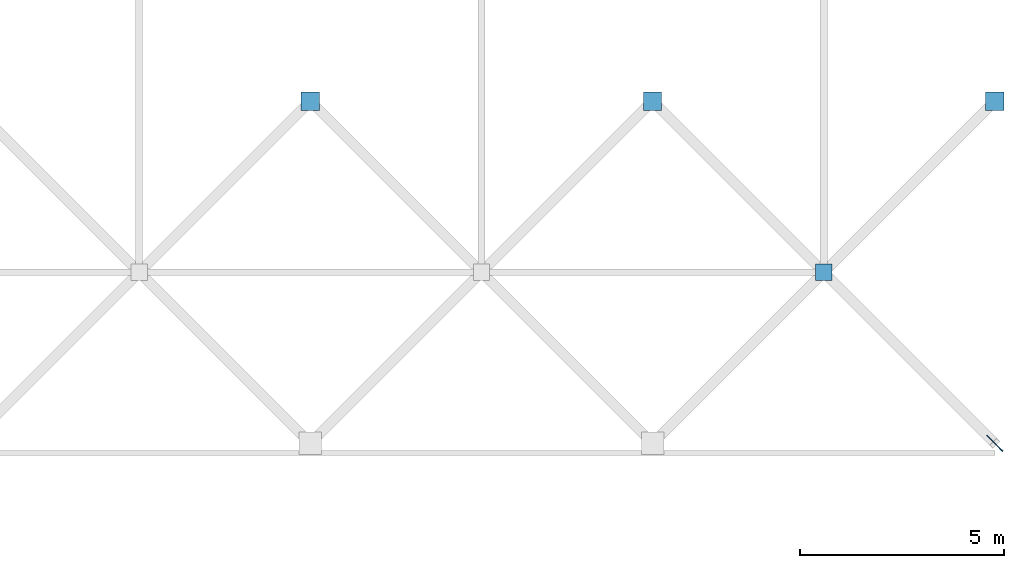
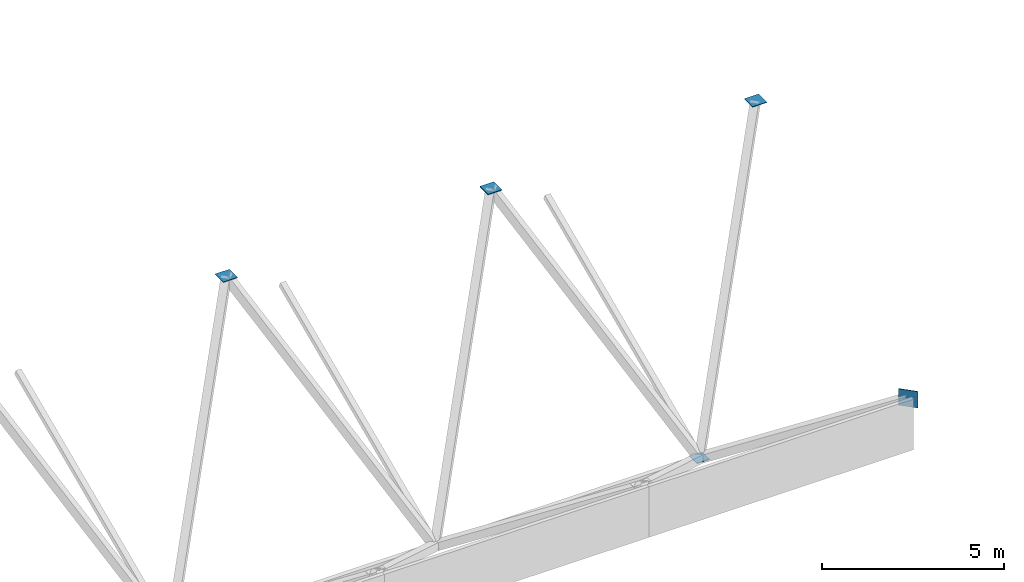
# One storey, part 62 of 85: 5 discrete accessories.
"""IFC4 building model written with IfcOpenShell, lengths in metres."""

import ifcopenshell
import ifcopenshell.guid

model = None  # the IFC model being written
_history = None  # IfcOwnerHistory: only IFC2X3 demands one
_inside = {}  # id of a spatial element -> (the spatial element, [elements in it])
_under = {}  # id of a project, library or spatial element -> (it, [spatial elements below it])
_declared = {}  # id of a project -> (the project, [libraries it declares])
_typed = {}  # id of a type object -> (the type object, [elements of that type])
_made_of = {}  # id of a material, layer set ... -> (it, [elements and type objects made of it])


def new_model(schema):
    """Start an empty IFC model of exactly this schema.

    Asked for "IFC4X3", IfcOpenShell would pick the latest addendum, in which some entities
    have other attributes; the version numbers below select the first issue.
    IFC2X3 requires an IfcOwnerHistory on every rooted entity: one is made here for all.
    """
    global model, _history
    if schema == "IFC4X3":
        model = ifcopenshell.file(schema_version=(4, 3, 0, 0))
    else:
        model = ifcopenshell.file(schema=schema)
    _inside.clear()
    _under.clear()
    _declared.clear()
    _typed.clear()
    _made_of.clear()
    _history = None
    if model.schema == "IFC2X3":
        org = make("IfcOrganization", Name="unknown")
        user = make(
            "IfcPersonAndOrganization",
            ThePerson=make("IfcPerson", FamilyName="unknown"),
            TheOrganization=org,
        )
        app = make(
            "IfcApplication",
            ApplicationDeveloper=org,
            Version="unknown",
            ApplicationFullName="unknown",
            ApplicationIdentifier="unknown",
        )
        _history = make(
            "IfcOwnerHistory",
            OwningUser=user,
            OwningApplication=app,
            ChangeAction="ADDED",
            CreationDate=0,
        )
    return model


def make(cls, **values):
    """One entity of the class cls with the attributes given. An attribute that is None is left unset."""
    return model.create_entity(
        cls, **{name: value for name, value in values.items() if value is not None}
    )


def rooted(cls, **values):
    """An entity with a GlobalId (a new one), such as an element, a storey or a relation."""
    return make(cls, GlobalId=ifcopenshell.guid.new(), OwnerHistory=_history, **values)


def si_unit(unit_type, name, prefix=None):
    """IfcSIUnit, for example si_unit("LENGTHUNIT", "METRE", prefix="MILLI")."""
    return make("IfcSIUnit", UnitType=unit_type, Prefix=prefix, Name=name)


def assignment(units):
    """IfcUnitAssignment: the units of a project."""
    return None if units is None else make("IfcUnitAssignment", Units=units)


def point(xyz):
    """IfcCartesianPoint."""
    return None if xyz is None else make("IfcCartesianPoint", Coordinates=xyz)


def direction(xyz):
    """IfcDirection."""
    return None if xyz is None else make("IfcDirection", DirectionRatios=xyz)


def frame(location, z_axis=None, x_axis=None):
    """IfcAxis2Placement3D, a coordinate frame: its origin and axes. An axis left out is left unset."""
    return make(
        "IfcAxis2Placement3D",
        Location=point(location),
        Axis=direction(z_axis),
        RefDirection=direction(x_axis),
    )


def frame_2d(location, x_axis=None):
    """IfcAxis2Placement2D, a coordinate frame in the plane: its origin and x axis."""
    return make(
        "IfcAxis2Placement2D", Location=point(location), RefDirection=direction(x_axis)
    )


def origin():
    """The frame at (0, 0, 0) with its axes left unset."""
    return frame((0.0, 0.0, 0.0))


def origin_2d():
    """The frame at (0, 0) in the plane with its x axis left unset."""
    return frame_2d((0.0, 0.0))


def place(relative_to, where):
    """IfcLocalPlacement: puts the frame where relative to a parent placement (None: the world)."""
    return make(
        "IfcLocalPlacement", PlacementRelTo=relative_to, RelativePlacement=where
    )


def context(
    kind, dimensions, precision=None, world=None, true_north=None, identifier=None
):
    """IfcGeometricRepresentationContext, for example the 3D "Model" context."""
    return make(
        "IfcGeometricRepresentationContext",
        ContextIdentifier=identifier,
        ContextType=kind,
        CoordinateSpaceDimension=dimensions,
        Precision=precision,
        WorldCoordinateSystem=world,
        TrueNorth=true_north,
    )


def subcontext(parent, identifier, kind, view, scale=None):
    """IfcGeometricRepresentationSubContext, for example "Body" below "Model"."""
    return make(
        "IfcGeometricRepresentationSubContext",
        ContextIdentifier=identifier,
        ContextType=kind,
        ParentContext=parent,
        TargetScale=scale,
        TargetView=view,
    )


def project(units=None, contexts=None):
    """IfcProject with its units and contexts."""
    return rooted(
        "IfcProject",
        Name="project",
        RepresentationContexts=contexts,
        UnitsInContext=assignment(units),
    )


def spatial(cls, under=None, at=None, **own):
    """A site, building, storey or space (cls), placed at a placement, below another one or the project."""
    s = rooted(cls, ObjectPlacement=at, **own)
    if under is not None:
        _under.setdefault(under.id(), (under, []))[1].append(s)
    return s


def profile(cls, at=None, kind="AREA", **sizes):
    """A parametric profile (cls). Its sizes go by their IFC names, for example OverallWidth=200.0."""
    return make(cls, ProfileType=kind, Position=at, **sizes)


def rectangle(**sizes):
    """IfcRectangleProfileDef."""
    return profile("IfcRectangleProfileDef", **sizes)


def extrude(swept, where, along, depth):
    """IfcExtrudedAreaSolid: the profile swept, set in the frame where, extruded along a direction by depth."""
    return make(
        "IfcExtrudedAreaSolid",
        SweptArea=swept,
        Position=where,
        ExtrudedDirection=direction(along),
        Depth=depth,
    )


def shape(context_of_items, identifier, shape_type, items):
    """IfcShapeRepresentation: the items that make up one representation, for example the "Body"."""
    return make(
        "IfcShapeRepresentation",
        ContextOfItems=context_of_items,
        RepresentationIdentifier=identifier,
        RepresentationType=shape_type,
        Items=items,
    )


def material(Name=None, Category=None):
    """IfcMaterial."""
    return make("IfcMaterial", Name=Name, Category=Category)


def layer(
    of_material, thickness, ventilated=None, Name=None, Category=None, Priority=None
):
    """IfcMaterialLayer: one layer of a wall or slab, of a material (None: an air gap)."""
    return make(
        "IfcMaterialLayer",
        Material=of_material,
        LayerThickness=thickness,
        IsVentilated=ventilated,
        Name=Name,
        Category=Category,
        Priority=Priority,
    )


def layer_set(layers, Name=None):
    """IfcMaterialLayerSet."""
    return make("IfcMaterialLayerSet", MaterialLayers=layers, LayerSetName=Name)


def made_of(thing, what):
    """Note that an element or type object is made of a material, layer set ...; save() writes the relation."""
    if what is not None:
        _made_of.setdefault(what.id(), (what, []))[1].append(thing)
    return thing


def type_object(cls, material=None, **own):
    """A type object (cls), such as IfcWallType, which elements share."""
    return made_of(rooted(cls, **own), material)


def element(
    cls,
    number,
    at=None,
    inside=None,
    cuts=None,
    type_object=None,
    material=None,
    context=None,
    identifier="Body",
    shape_type=None,
    held_by="IfcProductDefinitionShape",
    body=None,
    shapes=None,
    **own,
):
    """One element of the class cls, such as IfcWall. Its Tag is "e" and its number.

    at: its placement. inside: the storey or other place that contains it. cuts: it is an
    opening in that element (IfcRelVoidsElement). A single representation is given by context,
    identifier, shape_type and body (its items); several are given by shapes. held_by: the class
    of the entity that holds the representations. save() writes the other relations.
    """
    e = rooted(cls, Tag="e%d" % number, ObjectPlacement=at, **own)
    if body is not None:
        shapes = [shape(context, identifier, shape_type, body)]
    if shapes is not None:
        e.Representation = make(held_by, Representations=shapes)
    if inside is not None:
        _inside.setdefault(inside.id(), (inside, []))[1].append(e)
    if cuts is not None:
        rooted(
            "IfcRelVoidsElement", RelatingBuildingElement=cuts, RelatedOpeningElement=e
        )
    if type_object is not None:
        _typed.setdefault(type_object.id(), (type_object, []))[1].append(e)
    return made_of(e, material)


def aggregate(whole, parts):
    """IfcRelAggregates: a whole, such as a stair, and the parts it consists of."""
    return rooted("IfcRelAggregates", RelatingObject=whole, RelatedObjects=parts)


def save(model, path):
    """Write the relations noted so far, then the file.

    IfcRelAggregates (storeys below a building ...), IfcRelContainedInSpatialStructure (elements
    in a storey), IfcRelDefinesByType, IfcRelAssociatesMaterial and IfcRelDeclares: one each for
    every whole, place, type object, material and project.
    """
    for whole, parts in _under.values():
        aggregate(whole, parts)
    for where, things in _inside.values():
        rooted(
            "IfcRelContainedInSpatialStructure",
            RelatedElements=things,
            RelatingStructure=where,
        )
    for kind, things in _typed.values():
        rooted("IfcRelDefinesByType", RelatedObjects=things, RelatingType=kind)
    for what, things in _made_of.values():
        rooted("IfcRelAssociatesMaterial", RelatedObjects=things, RelatingMaterial=what)
    for by, libraries in _declared.values():
        rooted("IfcRelDeclares", RelatingContext=by, RelatedDefinitions=libraries)
    model.write(path)


model = new_model("IFC4")

# Units and contexts
model_context = context("Model", 3, precision=1e-05, world=origin(), true_north=direction((0.0, 1.0)))
body_context = subcontext(model_context, "Body", "Model", "MODEL_VIEW")
ifc_project = project(units=[si_unit("LENGTHUNIT", "METRE"), si_unit("AREAUNIT", "SQUARE_METRE"), si_unit("VOLUMEUNIT", "CUBIC_METRE"), si_unit("PLANEANGLEUNIT", "RADIAN"), si_unit("MASSUNIT", "GRAM", prefix="KILO")], contexts=[model_context])

# Site, building, storey
site_placement = place(None, origin())
site = spatial("IfcSite", under=ifc_project, at=site_placement, CompositionType="ELEMENT")
building_placement = place(site_placement, origin())
building = spatial("IfcBuilding", under=site, at=building_placement, Name="Rain Tree Exposition and Congress Centre", CompositionType="ELEMENT")
storey_placement = place(building_placement, frame((0.0, 0.0, 15.0)))
storey = spatial("IfcBuildingStorey", under=building, at=storey_placement, Name="L03", CompositionType="ELEMENT", Elevation=15.0)

# Discrete accessories
ifc_material_1 = material(Name="Steel plate S355J2", Category="steel")
ifc_layer_1 = layer(ifc_material_1, 0.02001953125)
ifc_layer_set_1 = layer_set([ifc_layer_1], Name="Steel plate S355J2")
discrete_accessory_type_1 = type_object("IfcDiscreteAccessoryType", Name="Brace node plate 400x400x20", PredefinedType="BRACKET", material=ifc_layer_set_1)
discrete_accessory_1_placement = place(storey_placement, frame((239.39990234375, 105.0, 1.762939453125), z_axis=(0.0, 0.0, 1.0), x_axis=(1.0, 0.0, 0.0)))
element("IfcDiscreteAccessory", 1, at=discrete_accessory_1_placement, inside=storey, type_object=discrete_accessory_type_1, Name="Brace node plate 400", PredefinedType="BRACKET", context=body_context, shape_type="SweptSolid", body=[
    extrude(rectangle(XDim=0.39990234375, YDim=0.39990234375, at=origin_2d()), origin(), (0.0, 0.0, 1.0), 0.02001953125),
])
ifc_material_2 = material(Name="Steel plate S355J2", Category="steel")
ifc_layer_2 = layer(ifc_material_2, 0.02001953125)
ifc_layer_set_2 = layer_set([ifc_layer_2], Name="Steel plate S355J2")
discrete_accessory_type_2 = type_object("IfcDiscreteAccessoryType", Name="Brace node plate 450x450x20", PredefinedType="BRACKET", material=ifc_layer_set_2)
for number, where, z_axis, x_axis, name in (
    (2, (226.800048828125, 109.199951171875, 9.73388671875), (0.0, 0.0, 1.0), (1.0, 0.0, 0.0), "Brace node plate 450"),
    (3, (235.199951171875, 109.199951171875, 9.73388671875), (0.0, 0.0, 1.0), (1.0, 0.0, 0.0), "Brace node plate 450"),
    (4, (243.60009765625, 109.199951171875, 9.73388671875), (0.0, 0.0, 1.0), (1.0, 0.0, 0.0), "Brace node plate 450"),
):
    element("IfcDiscreteAccessory", number, at=place(storey_placement, frame(where, z_axis=z_axis, x_axis=x_axis)), inside=storey, type_object=discrete_accessory_type_2, Name=name, PredefinedType="BRACKET", context=body_context, shape_type="SweptSolid", body=[
        extrude(rectangle(XDim=0.449951171875, YDim=0.449951171875, at=origin_2d()), origin(), (0.0, 0.0, 1.0), 0.02001953125),
    ])
ifc_material_3 = material(Name="Steel plate S355J2", Category="steel")
ifc_layer_3 = layer(ifc_material_3, 0.02001953125)
ifc_layer_set_3 = layer_set([ifc_layer_3], Name="Steel plate S355J2")
discrete_accessory_type_3 = type_object("IfcDiscreteAccessoryType", Name="Brace node plate 550x550x20", PredefinedType="BRACKET", material=ifc_layer_set_3)
discrete_accessory_2_placement = place(storey_placement, frame((243.60009765625, 100.800048828125, 4.5751953125), z_axis=(0.0, 0.0, 1.0), x_axis=(-0.707106781187, 0.707106781187, 0.0)))
element("IfcDiscreteAccessory", 5, at=discrete_accessory_2_placement, inside=storey, type_object=discrete_accessory_type_3, Name="Brace node plate 550", PredefinedType="BRACKET", context=body_context, shape_type="SweptSolid", body=[
    extrude(rectangle(XDim=0.550048828125, YDim=0.02001953125, at=origin_2d()), origin(), (0.0, 0.0, 1.0), 0.550048828125),
])

save(model, "model.ifc")
